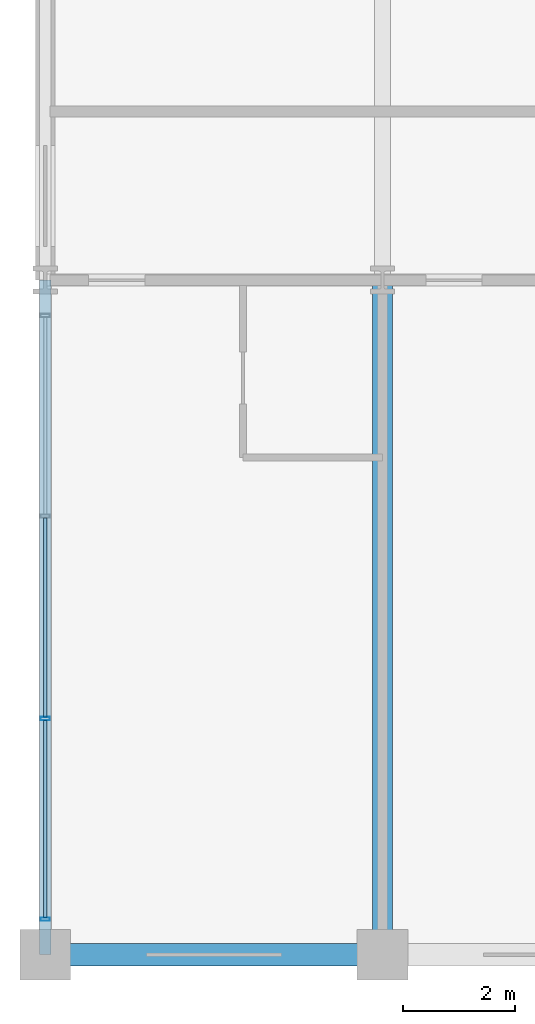
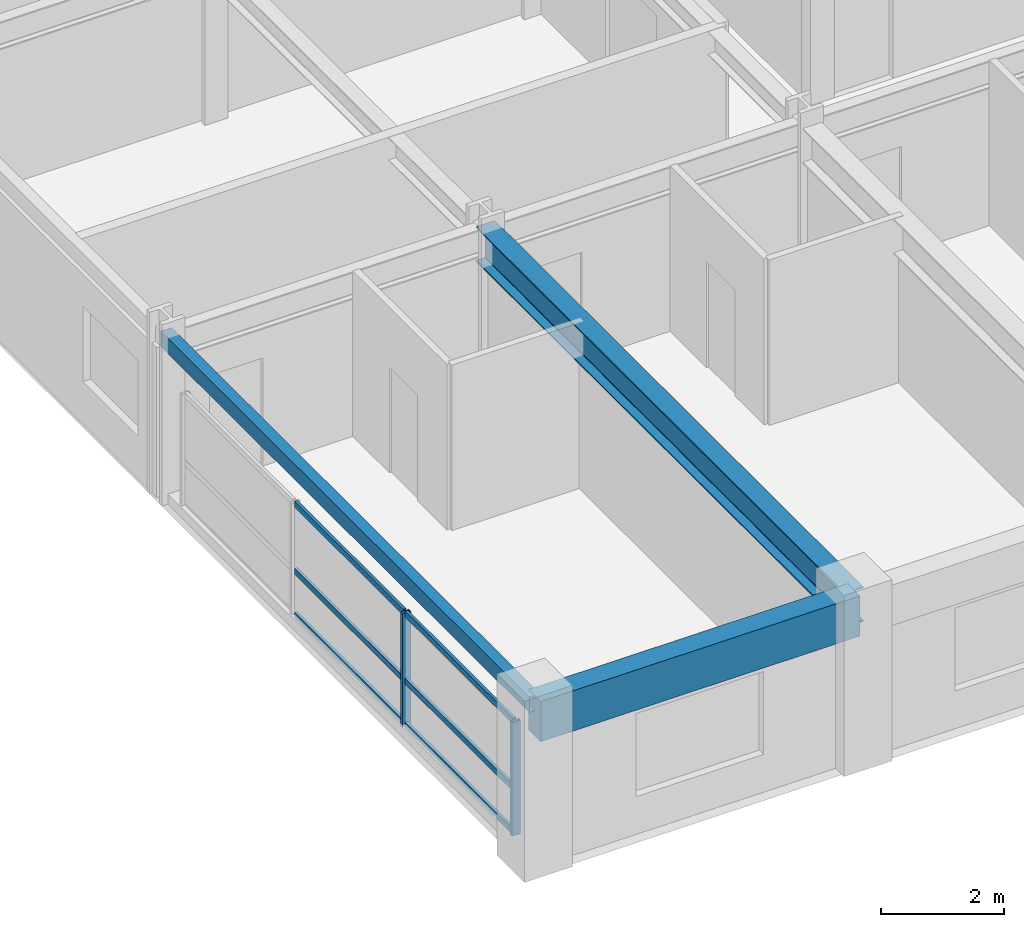
# One storey, part 2 of 22: 8 members, 3 beams, 1 element without a shape of its own.
"""IFC4 building model written with IfcOpenShell, lengths in metres."""

from ifc_helpers import new_model, si_unit, direction, frame, origin, origin_2d, place, context, subcontext, project, spatial, rectangle, hollow_rectangle, i_section, extrude, material, material_profile, profile_set, type_object, element, aggregate, save


model = new_model("IFC4")

# Units and contexts
model_context = context("Model", 3, precision=1e-05, world=origin(), true_north=direction((0.0, 1.0)))
body_context = subcontext(model_context, "Body", "Model", "MODEL_VIEW")
ifc_project = project(units=[si_unit("LENGTHUNIT", "METRE"), si_unit("AREAUNIT", "SQUARE_METRE"), si_unit("VOLUMEUNIT", "CUBIC_METRE"), si_unit("PLANEANGLEUNIT", "RADIAN"), si_unit("MASSUNIT", "GRAM", prefix="KILO")], contexts=[model_context])

# Site, building, storey
site_placement = place(None, origin())
site = spatial("IfcSite", under=ifc_project, at=site_placement, CompositionType="ELEMENT")
building_placement = place(site_placement, origin())
building = spatial("IfcBuilding", under=site, at=building_placement, Name="Kaldorvane Square Convention Centre", CompositionType="ELEMENT")
storey_placement = place(building_placement, frame((0.0, 0.0, 31.199996948242188)))
storey = spatial("IfcBuildingStorey", under=building, at=storey_placement, Name="L06", CompositionType="ELEMENT", Elevation=31.199996948242188)

# Beams
ifc_material_1 = material(Name="Steel ASTM A992 Gr. 50", Category="steel")
ifc_material_profile_1 = material_profile(ifc_material_1, i_section(OverallWidth=0.354705810546875, OverallDepth=0.69549560546875, WebThickness=0.0153961181640625, FlangeThickness=0.0251007080078125, FilletRadius=0.01519775390625, at=origin_2d()), Name="W27X146")
ifc_profile_set_1 = profile_set([ifc_material_profile_1], Name="Steel ASTM A992 Gr. 50")
beam_type_1 = type_object("IfcBeamType", Name="BM-GR-W27X146", PredefinedType="BEAM", material=ifc_profile_set_1)
beam_1_placement = place(storey_placement, frame((30.0, 84.0, 2.938201904296875), z_axis=(0.0, 1.0, 0.0), x_axis=(-1.0, 0.0, 0.0)))
element("IfcBeam", 1, at=beam_1_placement, inside=storey, type_object=beam_type_1, Name="Transverse Girder (L06)", PredefinedType="BEAM", context=body_context, shape_type="SweptSolid", body=[
    extrude(i_section(OverallWidth=0.354705810546875, OverallDepth=0.69549560546875, WebThickness=0.0153961181640625, FlangeThickness=0.0251007080078125, FilletRadius=0.01519775390625, at=origin_2d()), origin(), (0.0, 0.0, 1.0), 12.0),
])
ifc_material_2 = material(Name="Steel ASTM A500 Gr. C", Category="steel")
ifc_material_profile_2 = material_profile(ifc_material_2, hollow_rectangle(XDim=0.2032012939453125, YDim=0.3047943115234375, WallThickness=0.0088958740234375, at=origin_2d()), Name="HSS12X8X3/8")
ifc_profile_set_2 = profile_set([ifc_material_profile_2], Name="Steel ASTM A500 Gr. C")
beam_type_2 = type_object("IfcBeamType", Name="BM-SP-HSS12", PredefinedType="SPANDREL", material=ifc_profile_set_2)
beam_2_placement = place(storey_placement, frame((24.0, 84.0, 3.13360595703125), z_axis=(0.0, 1.0, 0.0), x_axis=(-1.0, 0.0, 0.0)))
element("IfcBeam", 2, at=beam_2_placement, inside=storey, type_object=beam_type_2, Name="End Spandrel (L06)", PredefinedType="SPANDREL", context=body_context, shape_type="SweptSolid", body=[
    extrude(hollow_rectangle(XDim=0.2032012939453125, YDim=0.3047943115234375, WallThickness=0.0088958740234375, at=origin_2d()), origin(), (0.0, 0.0, 1.0), 12.0),
])
ifc_material_3 = material(Name="Concrete f'c = 42 MPa (Normalweight)", Category="concrete")
ifc_material_profile_3 = material_profile(ifc_material_3, rectangle(XDim=0.399993896484375, YDim=0.8000030517578125, at=origin_2d()), Name="RCSP800X400")
ifc_profile_set_3 = profile_set([ifc_material_profile_3], Name="Concrete f'c = 42 MPa (Normalweight)")
beam_type_3 = type_object("IfcBeamType", Name="BM-SP-RC800", PredefinedType="SPANDREL", material=ifc_profile_set_3)
beam_3_placement = place(storey_placement, frame((24.0, 84.0, 2.8860015869140625), z_axis=(1.0, 0.0, 0.0), x_axis=(0.0, 1.0, 0.0)))
element("IfcBeam", 3, at=beam_3_placement, inside=storey, type_object=beam_type_3, Name="Perimeter Spandrel (L06)", PredefinedType="SPANDREL", context=body_context, shape_type="SweptSolid", body=[
    extrude(rectangle(XDim=0.399993896484375, YDim=0.8000030517578125, at=origin_2d()), origin(), (0.0, 0.0, 1.0), 6.0),
])

# Curtain wall, members
ifc_material_4 = material(Name="Anodized Aluminum and Low-E Insulated Glazing", Category="aluminium")
curtain_wall_type = type_object("IfcCurtainWallType", Name="CW-UNI-HTL-B", PredefinedType="USERDEFINED", material=ifc_material_4)
curtain_wall_placement = place(storey_placement, origin())
curtain_wall = element("IfcCurtainWall", 4, at=curtain_wall_placement, inside=storey, type_object=curtain_wall_type, Name="Curtain Wall CW-11 (L06)", ObjectType="UNITISED GLAZING", PredefinedType="USERDEFINED")
ifc_material_profile_4 = material_profile(ifc_material_4, hollow_rectangle(XDim=0.05999755859375, YDim=0.160003662109375, WallThickness=0.003204345703125, at=origin_2d()), Name="CWM-160X60")
ifc_profile_set_4 = profile_set([ifc_material_profile_4], Name="Anodized Aluminum and Low-E Insulated Glazing")
member_type_1 = type_object("IfcMemberType", Name="CW-MUL-160", PredefinedType="MULLION", material=ifc_profile_set_4)
member_1_placement = place(storey_placement, frame((24.0, 88.19999694824219, 0.1500091552734375), z_axis=(0.0, 0.0, 1.0), x_axis=(0.0, -1.0, 0.0)))
member_1 = element("IfcMember", 5, at=member_1_placement, type_object=member_type_1, Name="CW-11 mullion 3", PredefinedType="MULLION", context=body_context, shape_type="SweptSolid", body=[
    extrude(hollow_rectangle(XDim=0.05999755859375, YDim=0.160003662109375, WallThickness=0.003204345703125, at=origin_2d()), origin(), (0.0, 0.0, 1.0), 2.2599945068359375),
])
member_2_placement = place(storey_placement, frame((24.0, 84.6300048828125, 0.1500091552734375), z_axis=(0.0, 0.0, 1.0), x_axis=(0.0, -1.0, 0.0)))
member_2 = element("IfcMember", 6, at=member_2_placement, type_object=member_type_1, Name="CW-11 mullion 4", PredefinedType="MULLION", context=body_context, shape_type="SweptSolid", body=[
    extrude(hollow_rectangle(XDim=0.05999755859375, YDim=0.160003662109375, WallThickness=0.003204345703125, at=origin_2d()), origin(), (0.0, 0.0, 1.0), 2.2599945068359375),
])
ifc_material_profile_5 = material_profile(ifc_material_4, hollow_rectangle(XDim=0.05499267578125, YDim=0.1199951171875, WallThickness=0.0030059814453125, at=origin_2d()), Name="CWT-120X55")
ifc_profile_set_5 = profile_set([ifc_material_profile_5], Name="Anodized Aluminum and Low-E Insulated Glazing")
member_type_2 = type_object("IfcMemberType", Name="CW-TRN-120", PredefinedType="USERDEFINED", material=ifc_profile_set_5)
member_3_placement = place(storey_placement, frame((24.0, 91.77000427246094, 0.1775054931640625), z_axis=(0.0, -1.0, 0.0), x_axis=(1.0, 0.0, 0.0)))
member_3 = element("IfcMember", 7, at=member_3_placement, type_object=member_type_2, Name="CW-11 transom 2.1", ObjectType="TRANSOM", PredefinedType="USERDEFINED", context=body_context, shape_type="SweptSolid", body=[
    extrude(hollow_rectangle(XDim=0.05499267578125, YDim=0.1199951171875, WallThickness=0.0030059814453125, at=origin_2d()), origin(), (0.0, 0.0, 1.0), 3.540008544921875),
])
member_4_placement = place(storey_placement, frame((24.0, 91.77000427246094, 1.0500030517578125), z_axis=(0.0, -1.0, 0.0), x_axis=(1.0, 0.0, 0.0)))
member_4 = element("IfcMember", 8, at=member_4_placement, type_object=member_type_2, Name="CW-11 transom 2.2", ObjectType="TRANSOM", PredefinedType="USERDEFINED", context=body_context, shape_type="SweptSolid", body=[
    extrude(hollow_rectangle(XDim=0.05499267578125, YDim=0.1199951171875, WallThickness=0.0030059814453125, at=origin_2d()), origin(), (0.0, 0.0, 1.0), 3.540008544921875),
])
member_5_placement = place(storey_placement, frame((24.0, 91.77000427246094, 2.38250732421875), z_axis=(0.0, -1.0, 0.0), x_axis=(1.0, 0.0, 0.0)))
member_5 = element("IfcMember", 9, at=member_5_placement, type_object=member_type_2, Name="CW-11 transom 2.3", ObjectType="TRANSOM", PredefinedType="USERDEFINED", context=body_context, shape_type="SweptSolid", body=[
    extrude(hollow_rectangle(XDim=0.05499267578125, YDim=0.1199951171875, WallThickness=0.0030059814453125, at=origin_2d()), origin(), (0.0, 0.0, 1.0), 3.540008544921875),
])
member_6_placement = place(storey_placement, frame((24.0, 88.16999816894531, 0.1775054931640625), z_axis=(0.0, -1.0, 0.0), x_axis=(1.0, 0.0, 0.0)))
member_6 = element("IfcMember", 10, at=member_6_placement, type_object=member_type_2, Name="CW-11 transom 3.1", ObjectType="TRANSOM", PredefinedType="USERDEFINED", context=body_context, shape_type="SweptSolid", body=[
    extrude(hollow_rectangle(XDim=0.05499267578125, YDim=0.1199951171875, WallThickness=0.0030059814453125, at=origin_2d()), origin(), (0.0, 0.0, 1.0), 3.5099945068359375),
])
member_7_placement = place(storey_placement, frame((24.0, 88.16999816894531, 1.0500030517578125), z_axis=(0.0, -1.0, 0.0), x_axis=(1.0, 0.0, 0.0)))
member_7 = element("IfcMember", 11, at=member_7_placement, type_object=member_type_2, Name="CW-11 transom 3.2", ObjectType="TRANSOM", PredefinedType="USERDEFINED", context=body_context, shape_type="SweptSolid", body=[
    extrude(hollow_rectangle(XDim=0.05499267578125, YDim=0.1199951171875, WallThickness=0.0030059814453125, at=origin_2d()), origin(), (0.0, 0.0, 1.0), 3.5099945068359375),
])
member_8_placement = place(storey_placement, frame((24.0, 88.16999816894531, 2.38250732421875), z_axis=(0.0, -1.0, 0.0), x_axis=(1.0, 0.0, 0.0)))
member_8 = element("IfcMember", 12, at=member_8_placement, type_object=member_type_2, Name="CW-11 transom 3.3", ObjectType="TRANSOM", PredefinedType="USERDEFINED", context=body_context, shape_type="SweptSolid", body=[
    extrude(hollow_rectangle(XDim=0.05499267578125, YDim=0.1199951171875, WallThickness=0.0030059814453125, at=origin_2d()), origin(), (0.0, 0.0, 1.0), 3.5099945068359375),
])
aggregate(curtain_wall, [member_1, member_2, member_3, member_4, member_5, member_6, member_7, member_8])

save(model, "model.ifc")
